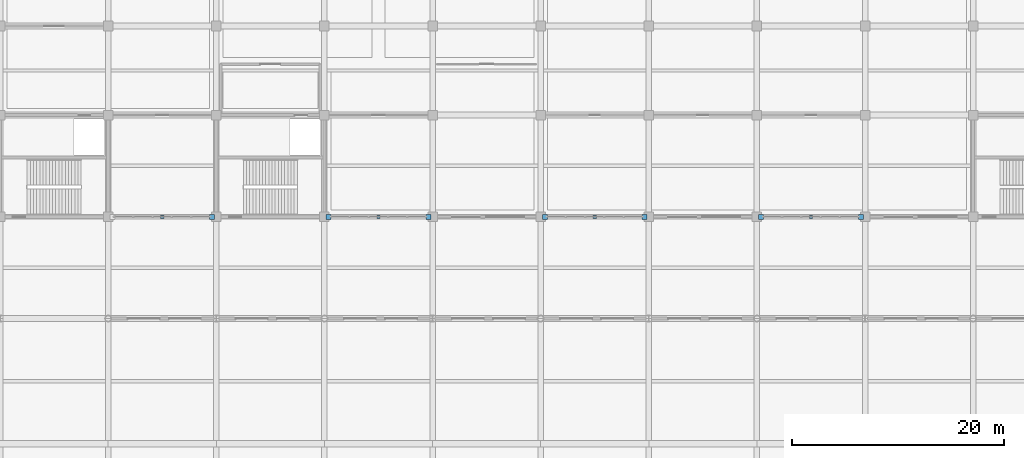
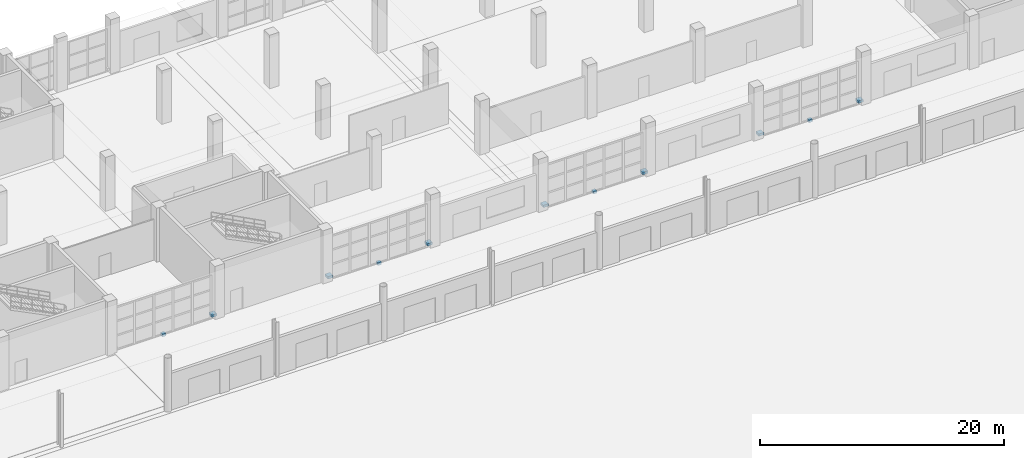
# One storey, part 105 of 124: 11 discrete accessories.
"""IFC4 building model written with IfcOpenShell, lengths in metres."""

from ifc_helpers import new_model, si_unit, direction, frame, origin, origin_2d, place, context, subcontext, project, spatial, rectangle, extrude, material, type_object, element, save


model = new_model("IFC4")

# Units and contexts
model_context = context("Model", 3, precision=1e-05, world=origin(), true_north=direction((0.0, 1.0)))
body_context = subcontext(model_context, "Body", "Model", "MODEL_VIEW")
ifc_project = project(units=[si_unit("LENGTHUNIT", "METRE"), si_unit("AREAUNIT", "SQUARE_METRE"), si_unit("VOLUMEUNIT", "CUBIC_METRE"), si_unit("PLANEANGLEUNIT", "RADIAN"), si_unit("MASSUNIT", "GRAM", prefix="KILO")], contexts=[model_context])

# Site, building, storey
site_placement = place(None, origin())
site = spatial("IfcSite", under=ifc_project, at=site_placement, CompositionType="ELEMENT")
building_placement = place(site_placement, origin())
building = spatial("IfcBuilding", under=site, at=building_placement, Name="Brelvane Convention Centre", CompositionType="ELEMENT")
storey_placement = place(building_placement, origin())
storey = spatial("IfcBuildingStorey", under=building, at=storey_placement, Name="L00", CompositionType="ELEMENT", Elevation=0.0)

# Discrete accessories
ifc_material = material(Name="Steel E350 (350 MPa)", Category="steel")
discrete_accessory_type = type_object("IfcDiscreteAccessoryType", Name="Facade Outrigger Bracket BRK-02", PredefinedType="BRACKET", material=ifc_material)
discrete_accessory_1_placement = place(storey_placement, frame((30.2099609375, 109.199951171875, 0.22998046875), z_axis=(0.0, 0.0, 1.0), x_axis=(1.0, 0.0, 0.0)))
element("IfcDiscreteAccessory", 1, at=discrete_accessory_1_placement, inside=storey, type_object=discrete_accessory_type, Name="Curtain Wall Anchor Bracket L00-V4S-03-R", PredefinedType="BRACKET", context=body_context, shape_type="SweptSolid", body=[
    extrude(rectangle(XDim=0.47998046875, YDim=0.47998046875, at=origin_2d()), origin(), (0.0, 0.0, 1.0), 0.239990234375),
])
discrete_accessory_2_placement = place(storey_placement, frame((25.5, 109.199951171875, -0.14013671875), z_axis=(0.0, 0.0, 1.0), x_axis=(1.0, 0.0, 0.0)))
element("IfcDiscreteAccessory", 2, at=discrete_accessory_2_placement, inside=storey, type_object=discrete_accessory_type, Name="Curtain Wall Anchor Bracket L00-V4S-03-B", PredefinedType="BRACKET", context=body_context, shape_type="SweptSolid", body=[
    extrude(rectangle(XDim=0.320068359375, YDim=0.320068359375, at=origin_2d()), origin(), (0.0, 0.0, 1.0), 0.280029296875),
])
for number, where, z_axis, x_axis, name in (
    (3, (41.18994140625, 109.199951171875, 0.22998046875), (0.0, 0.0, 1.0), (1.0, 0.0, 0.0), "Curtain Wall Anchor Bracket L00-V4S-05-L"),
    (4, (50.610107421875, 109.199951171875, 0.22998046875), (0.0, 0.0, 1.0), (1.0, 0.0, 0.0), "Curtain Wall Anchor Bracket L00-V4S-05-R"),
):
    element("IfcDiscreteAccessory", number, at=place(storey_placement, frame(where, z_axis=z_axis, x_axis=x_axis)), inside=storey, type_object=discrete_accessory_type, Name=name, PredefinedType="BRACKET", context=body_context, shape_type="SweptSolid", body=[
        extrude(rectangle(XDim=0.47998046875, YDim=0.47998046875, at=origin_2d()), origin(), (0.0, 0.0, 1.0), 0.239990234375),
    ])
discrete_accessory_3_placement = place(storey_placement, frame((45.89990234375, 109.199951171875, -0.14013671875), z_axis=(0.0, 0.0, 1.0), x_axis=(1.0, 0.0, 0.0)))
element("IfcDiscreteAccessory", 5, at=discrete_accessory_3_placement, inside=storey, type_object=discrete_accessory_type, Name="Curtain Wall Anchor Bracket L00-V4S-05-B", PredefinedType="BRACKET", context=body_context, shape_type="SweptSolid", body=[
    extrude(rectangle(XDim=0.320068359375, YDim=0.320068359375, at=origin_2d()), origin(), (0.0, 0.0, 1.0), 0.280029296875),
])
for number, where, z_axis, x_axis, name in (
    (6, (61.590087890625, 109.199951171875, 0.22998046875), (0.0, 0.0, 1.0), (1.0, 0.0, 0.0), "Curtain Wall Anchor Bracket L00-V4S-07-L"),
    (7, (71.010009765625, 109.199951171875, 0.22998046875), (0.0, 0.0, 1.0), (1.0, 0.0, 0.0), "Curtain Wall Anchor Bracket L00-V4S-07-R"),
):
    element("IfcDiscreteAccessory", number, at=place(storey_placement, frame(where, z_axis=z_axis, x_axis=x_axis)), inside=storey, type_object=discrete_accessory_type, Name=name, PredefinedType="BRACKET", context=body_context, shape_type="SweptSolid", body=[
        extrude(rectangle(XDim=0.47998046875, YDim=0.47998046875, at=origin_2d()), origin(), (0.0, 0.0, 1.0), 0.239990234375),
    ])
discrete_accessory_4_placement = place(storey_placement, frame((66.300048828125, 109.199951171875, -0.14013671875), z_axis=(0.0, 0.0, 1.0), x_axis=(1.0, 0.0, 0.0)))
element("IfcDiscreteAccessory", 8, at=discrete_accessory_4_placement, inside=storey, type_object=discrete_accessory_type, Name="Curtain Wall Anchor Bracket L00-V4S-07-B", PredefinedType="BRACKET", context=body_context, shape_type="SweptSolid", body=[
    extrude(rectangle(XDim=0.320068359375, YDim=0.320068359375, at=origin_2d()), origin(), (0.0, 0.0, 1.0), 0.280029296875),
])
for number, where, z_axis, x_axis, name in (
    (9, (81.989990234375, 109.199951171875, 0.22998046875), (0.0, 0.0, 1.0), (1.0, 0.0, 0.0), "Curtain Wall Anchor Bracket L00-V4S-09-L"),
    (10, (91.409912109375, 109.199951171875, 0.22998046875), (0.0, 0.0, 1.0), (1.0, 0.0, 0.0), "Curtain Wall Anchor Bracket L00-V4S-09-R"),
):
    element("IfcDiscreteAccessory", number, at=place(storey_placement, frame(where, z_axis=z_axis, x_axis=x_axis)), inside=storey, type_object=discrete_accessory_type, Name=name, PredefinedType="BRACKET", context=body_context, shape_type="SweptSolid", body=[
        extrude(rectangle(XDim=0.47998046875, YDim=0.47998046875, at=origin_2d()), origin(), (0.0, 0.0, 1.0), 0.239990234375),
    ])
discrete_accessory_5_placement = place(storey_placement, frame((86.699951171875, 109.199951171875, -0.14013671875), z_axis=(0.0, 0.0, 1.0), x_axis=(1.0, 0.0, 0.0)))
element("IfcDiscreteAccessory", 11, at=discrete_accessory_5_placement, inside=storey, type_object=discrete_accessory_type, Name="Curtain Wall Anchor Bracket L00-V4S-09-B", PredefinedType="BRACKET", context=body_context, shape_type="SweptSolid", body=[
    extrude(rectangle(XDim=0.320068359375, YDim=0.320068359375, at=origin_2d()), origin(), (0.0, 0.0, 1.0), 0.280029296875),
])

save(model, "model.ifc")
